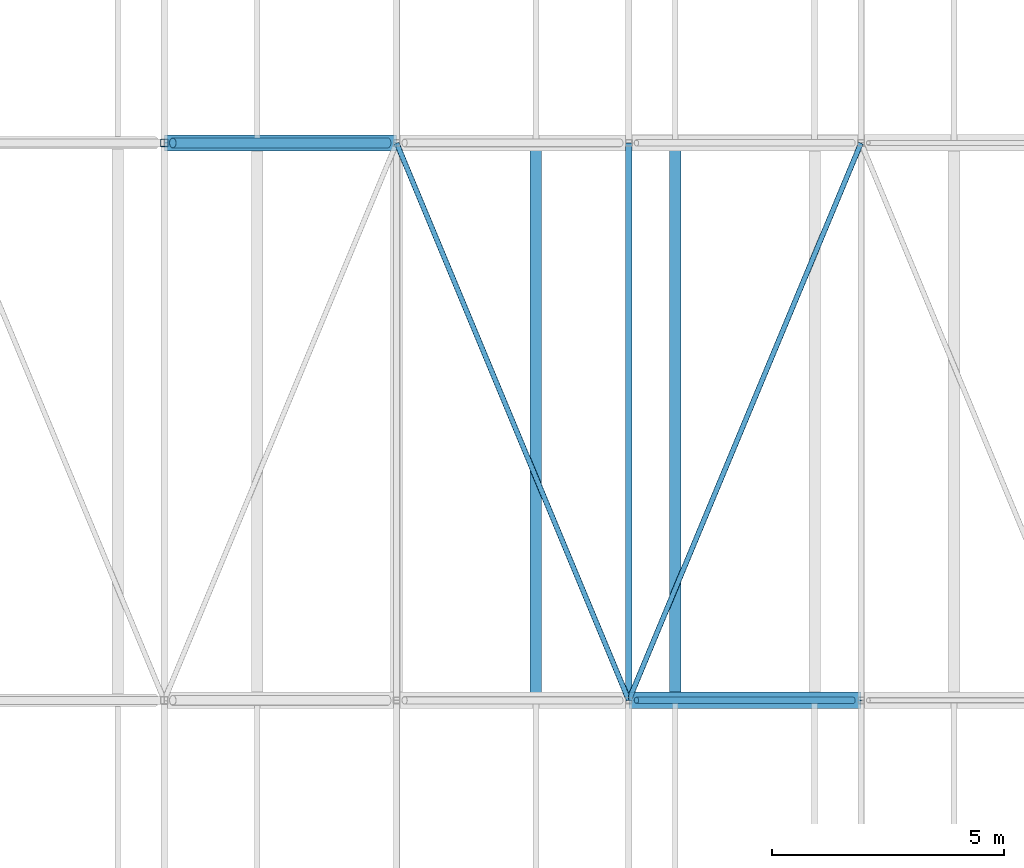
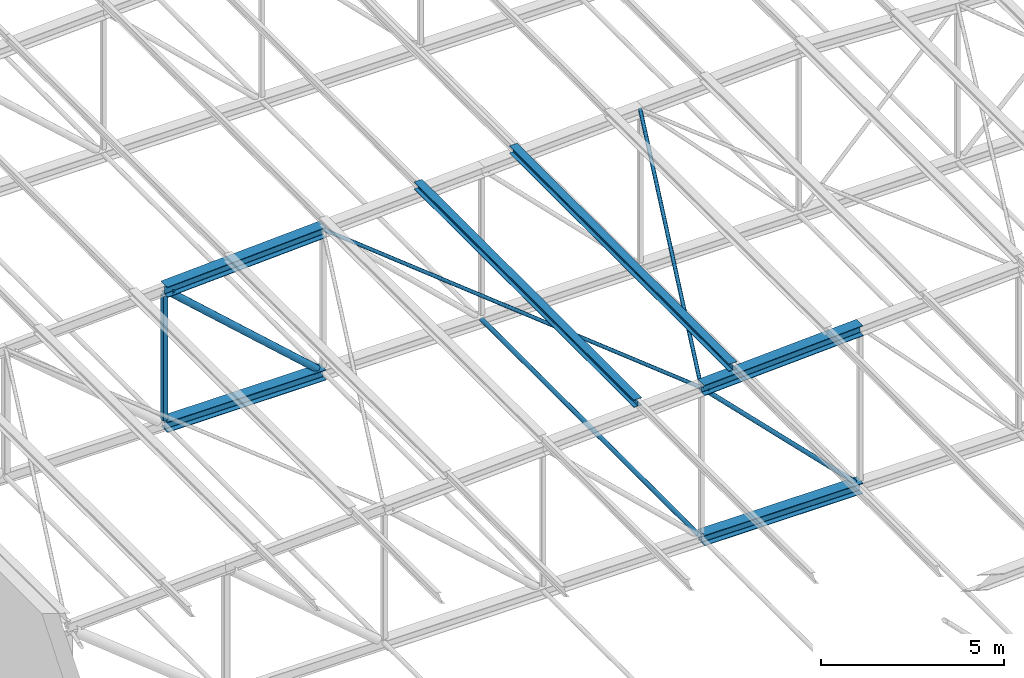
# One storey, part 33 of 156: 12 members.
"""IFC4 building model written with IfcOpenShell, lengths in metres."""

from ifc_helpers import new_model, si_unit, direction, frame, origin, origin_2d, place, context, subcontext, project, spatial, hollow_rectangle, hollow_circle, i_section, extrude, material, material_profile, profile_set, type_object, element, save


model = new_model("IFC4")

# Units and contexts
model_context = context("Model", 3, precision=1e-05, world=origin(), true_north=direction((0.0, 1.0)))
body_context = subcontext(model_context, "Body", "Model", "MODEL_VIEW")
ifc_project = project(units=[si_unit("LENGTHUNIT", "METRE"), si_unit("AREAUNIT", "SQUARE_METRE"), si_unit("VOLUMEUNIT", "CUBIC_METRE"), si_unit("PLANEANGLEUNIT", "RADIAN"), si_unit("MASSUNIT", "GRAM", prefix="KILO")], contexts=[model_context])

# Site, building, storey
site_placement = place(None, origin())
site = spatial("IfcSite", under=ifc_project, at=site_placement, CompositionType="ELEMENT")
building_placement = place(site_placement, origin())
building = spatial("IfcBuilding", under=site, at=building_placement, Name="Lilac Gate Convention Centre", CompositionType="ELEMENT")
storey_placement = place(building_placement, frame((0.0, 0.0, 17.0)))
storey = spatial("IfcBuildingStorey", under=building, at=storey_placement, Name="L03", CompositionType="ELEMENT", Elevation=17.0)

# Members
ifc_material = material(Name="Steel Q355B", Category="steel")
ifc_material_profile_1 = material_profile(ifc_material, hollow_circle(Radius=0.06982421875, WallThickness=0.0048828125, at=origin_2d()), Name="CHS139.7x5")
ifc_profile_set_1 = profile_set([ifc_material_profile_1], Name="Steel Q355B")
member_type_1 = type_object("IfcMemberType", Name="Bottom chord tie CHS139.7x5", PredefinedType="STRUT", material=ifc_profile_set_1)
member_1_placement = place(storey_placement, frame((50.0, 78.006103515625, 0.0), z_axis=(0.0, 1.0, 0.0), x_axis=(-1.0, 0.0, 0.0)))
element("IfcMember", 1, at=member_1_placement, inside=storey, type_object=member_type_1, Name="ST1 tie bay 5 node 5", PredefinedType="STRUT", context=body_context, shape_type="SweptSolid", body=[
    extrude(hollow_circle(Radius=0.06982421875, WallThickness=0.0048828125, at=origin_2d()), origin(), (0.0, 0.0, 1.0), 11.98779296875),
])
ifc_material_profile_2 = material_profile(ifc_material, hollow_circle(Radius=0.05712890625, WallThickness=0.0048828125, at=origin_2d()), Name="CHS114.3x5")
ifc_profile_set_2 = profile_set([ifc_material_profile_2], Name="Steel Q355B")
member_type_2 = type_object("IfcMemberType", Name="Roof plane bracing CHS114.3x5", PredefinedType="BRACE", material=ifc_profile_set_2)
for number, where, z_axis, x_axis, name in (
    (2, (45.00244140625, 89.993896484375, 4.75), (0.384557486582, -0.922900376645, 0.019246669905), (0.923071361129, 0.384628733019, 0.0), "BR1 plan bracing bay 5 panel 4"),
    (3, (50.00244140625, 78.006103515625, 5.0), (0.384557486582, 0.922900376645, 0.019246669905), (-0.923071361129, 0.384628733019, 0.0), "BR1 plan bracing bay 5 panel 5"),
):
    element("IfcMember", number, at=place(storey_placement, frame(where, z_axis=z_axis, x_axis=x_axis)), inside=storey, type_object=member_type_2, Name=name, PredefinedType="BRACE", context=body_context, shape_type="SweptSolid", body=[
        extrude(hollow_circle(Radius=0.05712890625, WallThickness=0.0048828125, at=origin_2d()), origin(), (0.0, 0.0, 1.0), 12.9892578125),
    ])
ifc_material_profile_3 = material_profile(ifc_material, i_section(OverallWidth=0.25, OverallDepth=0.25, WebThickness=0.009033203125, FlangeThickness=0.013916015625, FilletRadius=0.012939453125, at=origin_2d()), Name="HW250x250x9x14")
ifc_profile_set_3 = profile_set([ifc_material_profile_3], Name="Steel Q355B")
member_type_3 = type_object("IfcMemberType", Name="Roof purlin HW250x250x9x14", PredefinedType="PURLIN", material=ifc_profile_set_3)
for number, where, z_axis, x_axis, name in (
    (4, (48.0, 78.0, 5.2001953125), (0.0, 1.0, 0.0), (-1.0, 0.0, 0.0), "PU1 purlin bay 5 line 7"),
    (5, (51.0, 78.0, 5.35009765625), (0.0, 1.0, 0.0), (-1.0, 0.0, 0.0), "PU1 purlin bay 5 line 8"),
):
    element("IfcMember", number, at=place(storey_placement, frame(where, z_axis=z_axis, x_axis=x_axis)), inside=storey, type_object=member_type_3, Name=name, PredefinedType="PURLIN", context=body_context, shape_type="SweptSolid", body=[
        extrude(i_section(OverallWidth=0.25, OverallDepth=0.25, WebThickness=0.009033203125, FlangeThickness=0.013916015625, FilletRadius=0.012939453125, at=origin_2d()), origin(), (0.0, 0.0, 1.0), 12.0),
    ])
ifc_material_profile_4 = material_profile(ifc_material, i_section(OverallWidth=0.35009765625, OverallDepth=0.35009765625, WebThickness=0.011962890625, FlangeThickness=0.01904296875, FilletRadius=0.012939453125, at=origin_2d()), Name="HW350x350x12x19")
ifc_profile_set_4 = profile_set([ifc_material_profile_4], Name="Steel Q355B")
member_type_4 = type_object("IfcMemberType", Name="Truss bottom chord HW350x350x12x19", PredefinedType="CHORD", material=ifc_profile_set_4)
member_2_placement = place(storey_placement, frame((40.0, 90.0, 0.0), z_axis=(1.0, 0.0, 0.0), x_axis=(0.0, 1.0, 0.0)))
element("IfcMember", 6, at=member_2_placement, inside=storey, type_object=member_type_4, Name="TB2 truss 6 bottom chord 3", PredefinedType="CHORD", context=body_context, shape_type="SweptSolid", body=[
    extrude(i_section(OverallWidth=0.35009765625, OverallDepth=0.35009765625, WebThickness=0.011962890625, FlangeThickness=0.01904296875, FilletRadius=0.012939453125, at=origin_2d()), origin(), (0.0, 0.0, 1.0), 5.0),
])
ifc_material_profile_5 = material_profile(ifc_material, i_section(OverallWidth=0.35693359375, OverallDepth=0.35009765625, WebThickness=0.01904296875, FlangeThickness=0.01904296875, FilletRadius=0.012939453125, at=origin_2d()), Name="HW350x357x19x19")
ifc_profile_set_5 = profile_set([ifc_material_profile_5], Name="Steel Q355B")
member_type_5 = type_object("IfcMemberType", Name="Truss bottom chord HW350x357x19x19", PredefinedType="CHORD", material=ifc_profile_set_5)
member_3_placement = place(storey_placement, frame((50.0, 78.0, 0.0), z_axis=(1.0, 0.0, 0.0), x_axis=(0.0, 1.0, 0.0)))
element("IfcMember", 7, at=member_3_placement, inside=storey, type_object=member_type_5, Name="TB3 truss 5 bottom chord 5", PredefinedType="CHORD", context=body_context, shape_type="SweptSolid", body=[
    extrude(i_section(OverallWidth=0.35693359375, OverallDepth=0.35009765625, WebThickness=0.01904296875, FlangeThickness=0.01904296875, FilletRadius=0.012939453125, at=origin_2d()), origin(), (0.0, 0.0, 1.0), 5.0),
])
ifc_material_profile_6 = material_profile(ifc_material, hollow_circle(Radius=0.06982421875, WallThickness=0.006103515625, at=origin_2d()), Name="CHS139.7x6")
ifc_profile_set_6 = profile_set([ifc_material_profile_6], Name="Steel Q355B")
member_type_6 = type_object("IfcMemberType", Name="Truss diagonal CHS139.7x6", PredefinedType="BRACE", material=ifc_profile_set_6)
member_4_placement = place(storey_placement, frame((50.164306640625, 78.0, 4.835693359375), z_axis=(0.707106781187, 0.0, -0.707106781187), x_axis=(0.0, 1.0, 0.0)))
element("IfcMember", 8, at=member_4_placement, inside=storey, type_object=member_type_6, Name="TW5 truss 5 diagonal 5", PredefinedType="BRACE", context=body_context, shape_type="SweptSolid", body=[
    extrude(hollow_circle(Radius=0.06982421875, WallThickness=0.006103515625, at=origin_2d()), origin(), (0.0, 0.0, 1.0), 6.591064453125),
])
ifc_material_profile_7 = material_profile(ifc_material, hollow_circle(Radius=0.109619140625, WallThickness=0.008056640625, at=origin_2d()), Name="CHS219.1x8")
ifc_profile_set_7 = profile_set([ifc_material_profile_7], Name="Steel Q355B")
member_type_7 = type_object("IfcMemberType", Name="Truss diagonal CHS219.1x8", PredefinedType="BRACE", material=ifc_profile_set_7)
member_5_placement = place(storey_placement, frame((40.1826171875, 90.0, 4.335693359375), z_axis=(0.743301953498, 0.0, -0.668956056797), x_axis=(0.0, 1.0, 0.0)))
element("IfcMember", 9, at=member_5_placement, inside=storey, type_object=member_type_7, Name="TW3 truss 6 diagonal 3", PredefinedType="BRACE", context=body_context, shape_type="SweptSolid", body=[
    extrude(hollow_circle(Radius=0.109619140625, WallThickness=0.008056640625, at=origin_2d()), origin(), (0.0, 0.0, 1.0), 6.2197265625),
])
ifc_material_profile_8 = material_profile(ifc_material, i_section(OverallWidth=0.35009765625, OverallDepth=0.35009765625, WebThickness=0.011962890625, FlangeThickness=0.01904296875, FilletRadius=0.012939453125, at=origin_2d()), Name="HW350x350x12x19")
ifc_profile_set_8 = profile_set([ifc_material_profile_8], Name="Steel Q355B")
member_type_8 = type_object("IfcMemberType", Name="Truss top chord HW350x350x12x19", PredefinedType="CHORD", material=ifc_profile_set_8)
for number, where, z_axis, x_axis, name in (
    (10, (50.0, 78.0, 5.0), (0.998752338878, 0.0, 0.049937616944), (0.0, 1.0, 0.0), "TT2 truss 5 top chord 5"),
    (11, (40.0, 90.0, 4.5), (0.998752338878, 0.0, 0.049937616944), (0.0, 1.0, 0.0), "TT2 truss 6 top chord 3"),
):
    element("IfcMember", number, at=place(storey_placement, frame(where, z_axis=z_axis, x_axis=x_axis)), inside=storey, type_object=member_type_8, Name=name, PredefinedType="CHORD", context=body_context, shape_type="SweptSolid", body=[
        extrude(i_section(OverallWidth=0.35009765625, OverallDepth=0.35009765625, WebThickness=0.011962890625, FlangeThickness=0.01904296875, FilletRadius=0.012939453125, at=origin_2d()), origin(), (0.0, 0.0, 1.0), 5.00634765625),
    ])
ifc_material_profile_9 = material_profile(ifc_material, hollow_rectangle(XDim=0.159912109375, YDim=0.159912109375, WallThickness=0.006103515625, InnerFilletRadius=0.006103515625, OuterFilletRadius=0.011962890625, at=origin_2d()), Name="SHS160x160x6")
ifc_profile_set_9 = profile_set([ifc_material_profile_9], Name="Steel Q355B")
member_type_9 = type_object("IfcMemberType", Name="Truss vertical SHS160x160x6", PredefinedType="STRUT", material=ifc_profile_set_9)
member_6_placement = place(storey_placement, frame((40.0, 90.0, 0.175048828125), z_axis=(0.0, 0.0, 1.0), x_axis=(1.0, 0.0, 0.0)))
element("IfcMember", 12, at=member_6_placement, inside=storey, type_object=member_type_9, Name="TV3 truss 6 vertical 3", PredefinedType="STRUT", context=body_context, shape_type="SweptSolid", body=[
    extrude(hollow_rectangle(XDim=0.159912109375, YDim=0.159912109375, WallThickness=0.006103515625, InnerFilletRadius=0.006103515625, OuterFilletRadius=0.011962890625, at=origin_2d()), origin(), (0.0, 0.0, 1.0), 4.149658203125),
])

save(model, "model.ifc")
